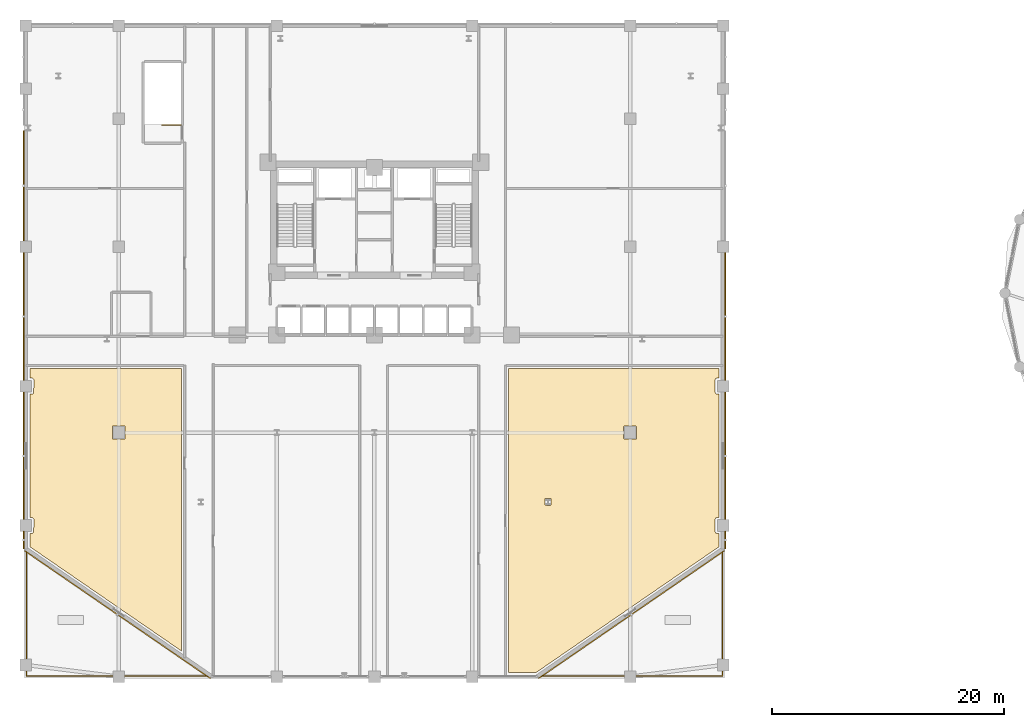
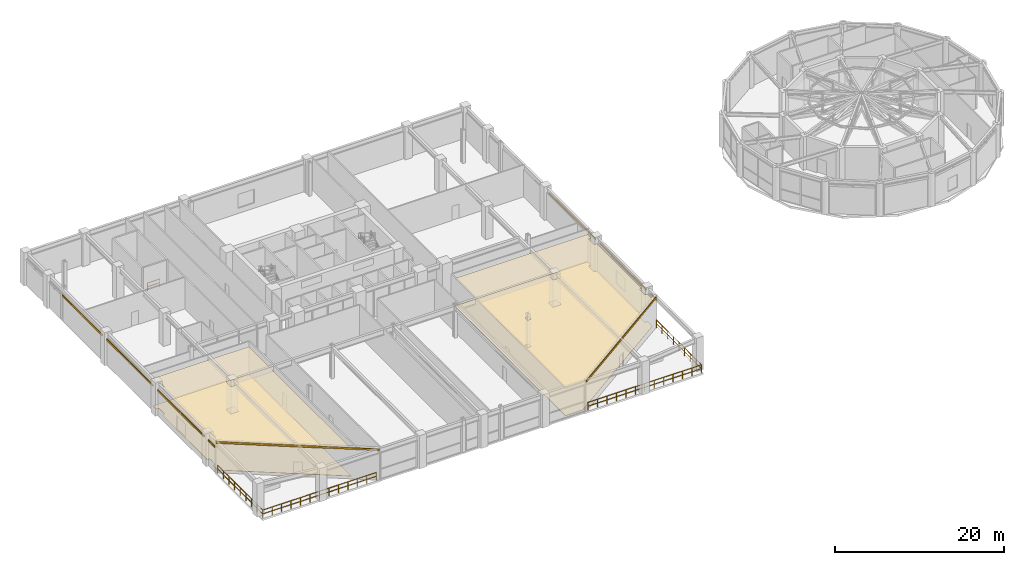
# One storey, part 24 of 26: 9 shading devices, 4 coverings, 3 railings.
"""IFC4 building model written with IfcOpenShell, lengths in metres."""

from ifc_helpers import new_model, si_unit, derived_unit, direction, frame, origin, origin_2d, place, context, subcontext, project, spatial, polyline, hollow_rectangle, circle, outline, extrude, source, transform, mapped, material, layer, layer_set, material_profile, profile_set, type_object, element, save


model = new_model("IFC4")

# Units and contexts
model_context = context("Model", 3, precision=1e-05, world=origin(), true_north=direction((0.0, 1.0)))
body_context = subcontext(model_context, "Body", "Model", "MODEL_VIEW")
ifc_project = project(units=[si_unit("LENGTHUNIT", "METRE"), si_unit("AREAUNIT", "SQUARE_METRE"), si_unit("VOLUMEUNIT", "CUBIC_METRE"), si_unit("PLANEANGLEUNIT", "RADIAN"), si_unit("MASSUNIT", "GRAM", prefix="KILO"), derived_unit("THERMALTRANSMITTANCEUNIT", [(si_unit("POWERUNIT", "WATT"), 1), (si_unit("LENGTHUNIT", "METRE"), -2), (si_unit("THERMODYNAMICTEMPERATUREUNIT", "KELVIN"), -1)])], contexts=[model_context])

# Site, building, storey
site_placement = place(None, origin())
site = spatial("IfcSite", under=ifc_project, at=site_placement, CompositionType="ELEMENT")
building_placement = place(site_placement, origin())
building = spatial("IfcBuilding", under=site, at=building_placement, Name="Korsvarv Bourse and Concert Hall", CompositionType="ELEMENT")
storey_placement = place(building_placement, frame((0.0, 0.0, 19.199951171875)))
storey = spatial("IfcBuildingStorey", under=building, at=storey_placement, Name="L04", CompositionType="ELEMENT", Elevation=19.199951171875)

# Coverings
ifc_material_1 = material(Name="Perforated mineral-wool and birch acoustic baffle ceiling", Category="wood")
ifc_layer_1 = layer(ifc_material_1, 0.02490234375)
ifc_layer_set_1 = layer_set([ifc_layer_1], Name="Perforated mineral-wool and birch acoustic baffle ceiling")
covering_type_1 = type_object("IfcCoveringType", Name="COV-CEIL-1", PredefinedType="CEILING", material=ifc_layer_set_1)
covering_1_placement = place(storey_placement, frame((0.0, 0.0, 3.9599609375)))
element("IfcCovering", 1, at=covering_1_placement, inside=storey, type_object=covering_type_1, Name="L04 acoustic baffle ceiling 1", PredefinedType="CEILING", context=body_context, shape_type="SweptSolid", body=[
    extrude(outline(polyline([(47.530029296875, 29.52001953125), (65.659912109375, 29.52001953125), (65.659912109375, 28.68994140625), (65.5, 28.68994140625), (65.465087890625, 28.6865234375), (65.431396484375, 28.676513671875), (65.400634765625, 28.659912109375), (65.373291015625, 28.637939453125), (65.35107421875, 28.61083984375), (65.334228515625, 28.580078125), (65.32373046875, 28.546630859375), (65.320068359375, 28.51171875), (65.31005859375, 27.501708984375), (65.31298828125, 27.467041015625), (65.32275390625, 27.43359375), (65.338623046875, 27.402587890625), (65.3603515625, 27.375244140625), (65.38671875, 27.3525390625), (65.417236328125, 27.33544921875), (65.4501953125, 27.324462890625), (65.48486328125, 27.320068359375), (65.659912109375, 27.315185546875), (65.659912109375, 16.68994140625), (65.5, 16.68994140625), (65.465087890625, 16.6865234375), (65.431396484375, 16.676513671875), (65.400634765625, 16.659912109375), (65.373291015625, 16.637939453125), (65.35107421875, 16.61083984375), (65.334228515625, 16.580078125), (65.32373046875, 16.546630859375), (65.320068359375, 16.51171875), (65.31005859375, 15.501708984375), (65.31298828125, 15.467041015625), (65.32275390625, 15.43359375), (65.338623046875, 15.402587890625), (65.3603515625, 15.375244140625), (65.38671875, 15.3525390625), (65.417236328125, 15.33544921875), (65.4501953125, 15.324462890625), (65.48486328125, 15.320068359375), (65.659912109375, 15.315185546875), (65.659912109375, 14.178955078125), (49.894287109375, 3.340087890625), (47.530029296875, 3.340087890625), (47.530029296875, 29.52001953125)]), holes=[polyline([(50.700927734375, 17.74560546875), (51.14404296875, 17.74169921875), (51.167724609375, 17.747802734375), (51.185791015625, 17.763916015625), (51.19384765625, 17.786865234375), (51.194091796875, 18.265869140625), (51.188232421875, 18.289306640625), (51.171875, 18.307373046875), (51.14892578125, 18.315673828125), (50.72021484375, 18.31591796875), (50.696533203125, 18.309814453125), (50.678466796875, 18.293701171875), (50.67041015625, 18.270751953125), (50.670166015625, 17.791748046875), (50.676025390625, 17.768310546875), (50.700927734375, 17.74560546875)]), polyline([(57.476318359375, 23.455810546875), (57.5, 23.449951171875), (58.5, 23.449951171875), (58.523681640625, 23.455810546875), (58.54150390625, 23.47216796875), (58.5498046875, 23.4951171875), (58.550048828125, 24.5), (58.544189453125, 24.523681640625), (58.52783203125, 24.54150390625), (58.5048828125, 24.5498046875), (57.5, 24.550048828125), (57.476318359375, 24.544189453125), (57.45849609375, 24.52783203125), (57.4501953125, 24.5048828125), (57.449951171875, 23.5), (57.455810546875, 23.476318359375), (57.476318359375, 23.455810546875)])]), origin(), (0.0, 0.0, 1.0), 0.025146484375),
])
covering_2_placement = place(storey_placement, frame((0.0, 0.0, 3.9599609375)))
element("IfcCovering", 2, at=covering_2_placement, inside=storey, type_object=covering_type_1, Name="L04 acoustic baffle ceiling 2", PredefinedType="CEILING", context=body_context, shape_type="SweptSolid", body=[
    extrude(outline(polyline([(19.409912109375, 5.193115234375), (6.340087890625, 14.178955078125), (6.340087890625, 15.31005859375), (6.5, 15.31005859375), (6.534912109375, 15.3134765625), (6.568603515625, 15.323486328125), (6.599365234375, 15.340087890625), (6.626708984375, 15.362060546875), (6.64892578125, 15.38916015625), (6.665771484375, 15.419921875), (6.67626953125, 15.453369140625), (6.679931640625, 15.48828125), (6.68994140625, 16.498291015625), (6.68701171875, 16.532958984375), (6.67724609375, 16.56640625), (6.661376953125, 16.597412109375), (6.6396484375, 16.624755859375), (6.61328125, 16.6474609375), (6.582763671875, 16.66455078125), (6.5498046875, 16.675537109375), (6.51513671875, 16.679931640625), (6.340087890625, 16.684814453125), (6.340087890625, 27.31005859375), (6.5, 27.31005859375), (6.534912109375, 27.3134765625), (6.568603515625, 27.323486328125), (6.599365234375, 27.340087890625), (6.626708984375, 27.362060546875), (6.64892578125, 27.38916015625), (6.665771484375, 27.419921875), (6.67626953125, 27.453369140625), (6.679931640625, 27.48828125), (6.68994140625, 28.498291015625), (6.68701171875, 28.532958984375), (6.67724609375, 28.56640625), (6.661376953125, 28.597412109375), (6.6396484375, 28.624755859375), (6.61328125, 28.6474609375), (6.582763671875, 28.66455078125), (6.5498046875, 28.675537109375), (6.51513671875, 28.679931640625), (6.340087890625, 28.684814453125), (6.340087890625, 29.52001953125), (19.409912109375, 29.52001953125), (19.409912109375, 5.193115234375)]), holes=[polyline([(13.476318359375, 23.455810546875), (13.5, 23.449951171875), (14.5, 23.449951171875), (14.523681640625, 23.455810546875), (14.54150390625, 23.47216796875), (14.5498046875, 23.4951171875), (14.550048828125, 24.5), (14.544189453125, 24.523681640625), (14.52783203125, 24.54150390625), (14.5048828125, 24.5498046875), (13.5, 24.550048828125), (13.476318359375, 24.544189453125), (13.45849609375, 24.52783203125), (13.4501953125, 24.5048828125), (13.449951171875, 23.5), (13.455810546875, 23.476318359375), (13.476318359375, 23.455810546875)])]), origin(), (0.0, 0.0, 1.0), 0.025146484375),
])
ifc_material_2 = material(Name="Calcium-sulphate raised access trading floor with Nordic oak top", Category="wood")
ifc_layer_2 = layer(ifc_material_2, 0.0400390625)
ifc_layer_set_2 = layer_set([ifc_layer_2], Name="Calcium-sulphate raised access trading floor with Nordic oak top")
covering_type_2 = type_object("IfcCoveringType", Name="COV-FLOR-1", PredefinedType="FLOORING", material=ifc_layer_set_2)
covering_3_placement = place(storey_placement, origin())
element("IfcCovering", 3, at=covering_3_placement, inside=storey, type_object=covering_type_2, Name="L04 raised access oak floor finish 1", PredefinedType="FLOORING", context=body_context, shape_type="SweptSolid", body=[
    extrude(outline(polyline([(47.530029296875, 29.52001953125), (65.659912109375, 29.52001953125), (65.659912109375, 28.68994140625), (65.5, 28.68994140625), (65.465087890625, 28.6865234375), (65.431396484375, 28.676513671875), (65.400634765625, 28.659912109375), (65.373291015625, 28.637939453125), (65.35107421875, 28.61083984375), (65.334228515625, 28.580078125), (65.32373046875, 28.546630859375), (65.320068359375, 28.51171875), (65.31005859375, 27.501708984375), (65.31298828125, 27.467041015625), (65.32275390625, 27.43359375), (65.338623046875, 27.402587890625), (65.3603515625, 27.375244140625), (65.38671875, 27.3525390625), (65.417236328125, 27.33544921875), (65.4501953125, 27.324462890625), (65.48486328125, 27.320068359375), (65.659912109375, 27.315185546875), (65.659912109375, 16.68994140625), (65.5, 16.68994140625), (65.465087890625, 16.6865234375), (65.431396484375, 16.676513671875), (65.400634765625, 16.659912109375), (65.373291015625, 16.637939453125), (65.35107421875, 16.61083984375), (65.334228515625, 16.580078125), (65.32373046875, 16.546630859375), (65.320068359375, 16.51171875), (65.31005859375, 15.501708984375), (65.31298828125, 15.467041015625), (65.32275390625, 15.43359375), (65.338623046875, 15.402587890625), (65.3603515625, 15.375244140625), (65.38671875, 15.3525390625), (65.417236328125, 15.33544921875), (65.4501953125, 15.324462890625), (65.48486328125, 15.320068359375), (65.659912109375, 15.315185546875), (65.659912109375, 14.178955078125), (49.894287109375, 3.340087890625), (47.530029296875, 3.340087890625), (47.530029296875, 29.52001953125)]), holes=[polyline([(50.700927734375, 17.74560546875), (51.14404296875, 17.74169921875), (51.167724609375, 17.747802734375), (51.185791015625, 17.763916015625), (51.19384765625, 17.786865234375), (51.194091796875, 18.265869140625), (51.188232421875, 18.289306640625), (51.171875, 18.307373046875), (51.14892578125, 18.315673828125), (50.72021484375, 18.31591796875), (50.696533203125, 18.309814453125), (50.678466796875, 18.293701171875), (50.67041015625, 18.270751953125), (50.670166015625, 17.791748046875), (50.676025390625, 17.768310546875), (50.700927734375, 17.74560546875)]), polyline([(57.476318359375, 23.455810546875), (57.5, 23.449951171875), (58.5, 23.449951171875), (58.523681640625, 23.455810546875), (58.54150390625, 23.47216796875), (58.5498046875, 23.4951171875), (58.550048828125, 24.5), (58.544189453125, 24.523681640625), (58.52783203125, 24.54150390625), (58.5048828125, 24.5498046875), (57.5, 24.550048828125), (57.476318359375, 24.544189453125), (57.45849609375, 24.52783203125), (57.4501953125, 24.5048828125), (57.449951171875, 23.5), (57.455810546875, 23.476318359375), (57.476318359375, 23.455810546875)])]), origin(), (0.0, 0.0, 1.0), 0.0400390625),
])
covering_4_placement = place(storey_placement, origin())
element("IfcCovering", 4, at=covering_4_placement, inside=storey, type_object=covering_type_2, Name="L04 raised access oak floor finish 2", PredefinedType="FLOORING", context=body_context, shape_type="SweptSolid", body=[
    extrude(outline(polyline([(19.409912109375, 5.193115234375), (6.340087890625, 14.178955078125), (6.340087890625, 15.31005859375), (6.5, 15.31005859375), (6.534912109375, 15.3134765625), (6.568603515625, 15.323486328125), (6.599365234375, 15.340087890625), (6.626708984375, 15.362060546875), (6.64892578125, 15.38916015625), (6.665771484375, 15.419921875), (6.67626953125, 15.453369140625), (6.679931640625, 15.48828125), (6.68994140625, 16.498291015625), (6.68701171875, 16.532958984375), (6.67724609375, 16.56640625), (6.661376953125, 16.597412109375), (6.6396484375, 16.624755859375), (6.61328125, 16.6474609375), (6.582763671875, 16.66455078125), (6.5498046875, 16.675537109375), (6.51513671875, 16.679931640625), (6.340087890625, 16.684814453125), (6.340087890625, 27.31005859375), (6.5, 27.31005859375), (6.534912109375, 27.3134765625), (6.568603515625, 27.323486328125), (6.599365234375, 27.340087890625), (6.626708984375, 27.362060546875), (6.64892578125, 27.38916015625), (6.665771484375, 27.419921875), (6.67626953125, 27.453369140625), (6.679931640625, 27.48828125), (6.68994140625, 28.498291015625), (6.68701171875, 28.532958984375), (6.67724609375, 28.56640625), (6.661376953125, 28.597412109375), (6.6396484375, 28.624755859375), (6.61328125, 28.6474609375), (6.582763671875, 28.66455078125), (6.5498046875, 28.675537109375), (6.51513671875, 28.679931640625), (6.340087890625, 28.684814453125), (6.340087890625, 29.52001953125), (19.409912109375, 29.52001953125), (19.409912109375, 5.193115234375)]), holes=[polyline([(13.476318359375, 23.455810546875), (13.5, 23.449951171875), (14.5, 23.449951171875), (14.523681640625, 23.455810546875), (14.54150390625, 23.47216796875), (14.5498046875, 23.4951171875), (14.550048828125, 24.5), (14.544189453125, 24.523681640625), (14.52783203125, 24.54150390625), (14.5048828125, 24.5498046875), (13.5, 24.550048828125), (13.476318359375, 24.544189453125), (13.45849609375, 24.52783203125), (13.4501953125, 24.5048828125), (13.449951171875, 23.5), (13.455810546875, 23.476318359375), (13.476318359375, 23.455810546875)])]), origin(), (0.0, 0.0, 1.0), 0.0400390625),
])

# Railings
ifc_material_3 = material(Name="Laminated safety glass and stainless Steel S355 balustrade", Category="steel")
railing_type_1 = type_object("IfcRailingType", Name="RL-BAL-EXT", PredefinedType="BALUSTRADE", material=ifc_material_3)
railing_1_placement = place(storey_placement, frame((21.538818359375, 3.050048828125, 0.0)))
element("IfcRailing", 5, at=railing_1_placement, inside=storey, type_object=railing_type_1, Name="L04 terrace perimeter balustrade 1-1", PredefinedType="BALUSTRADE", context=body_context, shape_type="SweptSolid", body=[
    extrude(circle(Radius=0.02392578125, at=origin_2d()), frame((0.0, 0.0, 1.1259765625), z_axis=(-1.0, 0.0, 0.0), x_axis=(0.0, -1.0, 0.0)), (0.0, 0.0, 1.0), 15.48876953125),
    extrude(circle(Radius=0.02392578125, at=origin_2d()), frame((0.0, 0.0, 0.574951171875), z_axis=(-1.0, 0.0, 0.0), x_axis=(0.0, -1.0, 0.0)), (0.0, 0.0, 1.0), 15.48876953125),
    extrude(circle(Radius=0.02392578125, at=origin_2d()), frame((-15.48876953125, 0.0, 1.1259765625), z_axis=(0.0, 1.0, 0.0), x_axis=(-1.0, 0.0, 0.0)), (0.0, 0.0, 1.0), 10.6484375),
    extrude(circle(Radius=0.02392578125, at=origin_2d()), frame((-15.48876953125, 0.0, 0.574951171875), z_axis=(0.0, 1.0, 0.0), x_axis=(-1.0, 0.0, 0.0)), (0.0, 0.0, 1.0), 10.6484375),
    extrude(circle(Radius=0.02099609375, at=origin_2d()), origin(), (0.0, 0.0, 1.0), 1.101806640625),
    extrude(circle(Radius=0.02099609375, at=origin_2d()), frame((-1.290771484375, 0.0, 0.0)), (0.0, 0.0, 1.0), 1.101806640625),
    extrude(circle(Radius=0.02099609375, at=origin_2d()), frame((-2.58154296875, 0.0, 0.0)), (0.0, 0.0, 1.0), 1.101806640625),
    extrude(circle(Radius=0.02099609375, at=origin_2d()), frame((-3.8720703125, 0.0, 0.0)), (0.0, 0.0, 1.0), 1.101806640625),
    extrude(circle(Radius=0.02099609375, at=origin_2d()), frame((-5.162841796875, 0.0, 0.0)), (0.0, 0.0, 1.0), 1.101806640625),
    extrude(circle(Radius=0.02099609375, at=origin_2d()), frame((-6.45361328125, 0.0, 0.0)), (0.0, 0.0, 1.0), 1.101806640625),
    extrude(circle(Radius=0.02099609375, at=origin_2d()), frame((-7.744384765625, 0.0, 0.0)), (0.0, 0.0, 1.0), 1.101806640625),
    extrude(circle(Radius=0.02099609375, at=origin_2d()), frame((-9.03515625, 0.0, 0.0)), (0.0, 0.0, 1.0), 1.101806640625),
    extrude(circle(Radius=0.02099609375, at=origin_2d()), frame((-10.325927734375, 0.0, 0.0)), (0.0, 0.0, 1.0), 1.101806640625),
    extrude(circle(Radius=0.02099609375, at=origin_2d()), frame((-11.61669921875, 0.0, 0.0)), (0.0, 0.0, 1.0), 1.101806640625),
    extrude(circle(Radius=0.02099609375, at=origin_2d()), frame((-12.9072265625, 0.0, 0.0)), (0.0, 0.0, 1.0), 1.101806640625),
    extrude(circle(Radius=0.02099609375, at=origin_2d()), frame((-14.197998046875, 0.0, 0.0)), (0.0, 0.0, 1.0), 1.101806640625),
    extrude(circle(Radius=0.02099609375, at=origin_2d()), frame((-15.48876953125, 0.0, 0.0)), (0.0, 0.0, 1.0), 1.101806640625),
    extrude(circle(Radius=0.02099609375, at=origin_2d()), frame((-15.48876953125, 1.3310546875, 0.0)), (0.0, 0.0, 1.0), 1.101806640625),
    extrude(circle(Radius=0.02099609375, at=origin_2d()), frame((-15.48876953125, 2.662109375, 0.0)), (0.0, 0.0, 1.0), 1.101806640625),
    extrude(circle(Radius=0.02099609375, at=origin_2d()), frame((-15.48876953125, 3.9931640625, 0.0)), (0.0, 0.0, 1.0), 1.101806640625),
    extrude(circle(Radius=0.02099609375, at=origin_2d()), frame((-15.48876953125, 5.32421875, 0.0)), (0.0, 0.0, 1.0), 1.101806640625),
    extrude(circle(Radius=0.02099609375, at=origin_2d()), frame((-15.48876953125, 6.6552734375, 0.0)), (0.0, 0.0, 1.0), 1.101806640625),
    extrude(circle(Radius=0.02099609375, at=origin_2d()), frame((-15.48876953125, 7.986328125, 0.0)), (0.0, 0.0, 1.0), 1.101806640625),
    extrude(circle(Radius=0.02099609375, at=origin_2d()), frame((-15.48876953125, 9.3173828125, 0.0)), (0.0, 0.0, 1.0), 1.101806640625),
    extrude(circle(Radius=0.02099609375, at=origin_2d()), frame((-15.48876953125, 10.6484375, 0.0)), (0.0, 0.0, 1.0), 1.101806640625),
])
railing_2_placement = place(storey_placement, frame((65.949951171875, 13.698486328125, 0.0)))
element("IfcRailing", 6, at=railing_2_placement, inside=storey, type_object=railing_type_1, Name="L04 terrace perimeter balustrade 2-1", PredefinedType="BALUSTRADE", context=body_context, shape_type="SweptSolid", body=[
    extrude(circle(Radius=0.02392578125, at=origin_2d()), frame((0.0, 0.0, 1.1259765625), z_axis=(0.0, -1.0, 0.0), x_axis=(1.0, 0.0, 0.0)), (0.0, 0.0, 1.0), 10.6484375),
    extrude(circle(Radius=0.02392578125, at=origin_2d()), frame((0.0, 0.0, 0.574951171875), z_axis=(0.0, -1.0, 0.0), x_axis=(1.0, 0.0, 0.0)), (0.0, 0.0, 1.0), 10.6484375),
    extrude(circle(Radius=0.02392578125, at=origin_2d()), frame((0.0, -10.6484375, 1.1259765625), z_axis=(-1.0, 0.0, 0.0), x_axis=(0.0, -1.0, 0.0)), (0.0, 0.0, 1.0), 15.48876953125),
    extrude(circle(Radius=0.02392578125, at=origin_2d()), frame((0.0, -10.6484375, 0.574951171875), z_axis=(-1.0, 0.0, 0.0), x_axis=(0.0, -1.0, 0.0)), (0.0, 0.0, 1.0), 15.48876953125),
    extrude(circle(Radius=0.02099609375, at=origin_2d()), origin(), (0.0, 0.0, 1.0), 1.101806640625),
    extrude(circle(Radius=0.02099609375, at=origin_2d()), frame((0.0, -1.3310546875, 0.0)), (0.0, 0.0, 1.0), 1.101806640625),
    extrude(circle(Radius=0.02099609375, at=origin_2d()), frame((0.0, -2.662109375, 0.0)), (0.0, 0.0, 1.0), 1.101806640625),
    extrude(circle(Radius=0.02099609375, at=origin_2d()), frame((0.0, -3.9931640625, 0.0)), (0.0, 0.0, 1.0), 1.101806640625),
    extrude(circle(Radius=0.02099609375, at=origin_2d()), frame((0.0, -5.32421875, 0.0)), (0.0, 0.0, 1.0), 1.101806640625),
    extrude(circle(Radius=0.02099609375, at=origin_2d()), frame((0.0, -6.6552734375, 0.0)), (0.0, 0.0, 1.0), 1.101806640625),
    extrude(circle(Radius=0.02099609375, at=origin_2d()), frame((0.0, -7.986328125, 0.0)), (0.0, 0.0, 1.0), 1.101806640625),
    extrude(circle(Radius=0.02099609375, at=origin_2d()), frame((0.0, -9.3173828125, 0.0)), (0.0, 0.0, 1.0), 1.101806640625),
    extrude(circle(Radius=0.02099609375, at=origin_2d()), frame((0.0, -10.6484375, 0.0)), (0.0, 0.0, 1.0), 1.101806640625),
    extrude(circle(Radius=0.02099609375, at=origin_2d()), frame((-1.290771484375, -10.6484375, 0.0)), (0.0, 0.0, 1.0), 1.101806640625),
    extrude(circle(Radius=0.02099609375, at=origin_2d()), frame((-2.58154296875, -10.6484375, 0.0)), (0.0, 0.0, 1.0), 1.101806640625),
    extrude(circle(Radius=0.02099609375, at=origin_2d()), frame((-3.8720703125, -10.6484375, 0.0)), (0.0, 0.0, 1.0), 1.101806640625),
    extrude(circle(Radius=0.02099609375, at=origin_2d()), frame((-5.162841796875, -10.6484375, 0.0)), (0.0, 0.0, 1.0), 1.101806640625),
    extrude(circle(Radius=0.02099609375, at=origin_2d()), frame((-6.45361328125, -10.6484375, 0.0)), (0.0, 0.0, 1.0), 1.101806640625),
    extrude(circle(Radius=0.02099609375, at=origin_2d()), frame((-7.744384765625, -10.6484375, 0.0)), (0.0, 0.0, 1.0), 1.101806640625),
    extrude(circle(Radius=0.02099609375, at=origin_2d()), frame((-9.03515625, -10.6484375, 0.0)), (0.0, 0.0, 1.0), 1.101806640625),
    extrude(circle(Radius=0.02099609375, at=origin_2d()), frame((-10.325927734375, -10.6484375, 0.0)), (0.0, 0.0, 1.0), 1.101806640625),
    extrude(circle(Radius=0.02099609375, at=origin_2d()), frame((-11.61669921875, -10.6484375, 0.0)), (0.0, 0.0, 1.0), 1.101806640625),
    extrude(circle(Radius=0.02099609375, at=origin_2d()), frame((-12.9072265625, -10.6484375, 0.0)), (0.0, 0.0, 1.0), 1.101806640625),
    extrude(circle(Radius=0.02099609375, at=origin_2d()), frame((-14.197998046875, -10.6484375, 0.0)), (0.0, 0.0, 1.0), 1.101806640625),
    extrude(circle(Radius=0.02099609375, at=origin_2d()), frame((-15.48876953125, -10.6484375, 0.0)), (0.0, 0.0, 1.0), 1.101806640625),
])
ifc_material_4 = material(Name="Painted Steel S355 stair well guardrail", Category="steel")
railing_type_2 = type_object("IfcRailingType", Name="RL-ST-GRD", PredefinedType="GUARDRAIL", material=ifc_material_4)
railing_3_placement = place(storey_placement, frame((19.360107421875, 50.449951171875, 0.0)))
element("IfcRailing", 7, at=railing_3_placement, inside=storey, type_object=railing_type_2, Name="L04 ST-PD1 top well guard 1", PredefinedType="GUARDRAIL", context=body_context, shape_type="SweptSolid", body=[
    extrude(circle(Radius=0.02392578125, at=origin_2d()), frame((0.0, 0.0, 1.076171875), z_axis=(-1.0, 0.0, 0.0), x_axis=(0.0, -1.0, 0.0)), (0.0, 0.0, 1.0), 1.66015625),
    extrude(circle(Radius=0.02392578125, at=origin_2d()), frame((0.0, 0.0, 0.550048828125), z_axis=(-1.0, 0.0, 0.0), x_axis=(0.0, -1.0, 0.0)), (0.0, 0.0, 1.0), 1.66015625),
    extrude(circle(Radius=0.02099609375, at=origin_2d()), origin(), (0.0, 0.0, 1.0), 1.052001953125),
    extrude(circle(Radius=0.02099609375, at=origin_2d()), frame((-1.66015625, 0.0, 0.0)), (0.0, 0.0, 1.0), 1.052001953125),
])

# Shading devices
ifc_material_5 = material(Name="Glazed extruded architectural terracotta", Category="ceramic")
ifc_material_profile = material_profile(ifc_material_5, hollow_rectangle(XDim=0.090087890625, YDim=0.260009765625, WallThickness=0.011962890625, at=origin_2d()), Name="TC-BAG 90x260")
ifc_profile_set = profile_set([ifc_material_profile], Name="Glazed extruded architectural terracotta")
shading_device_type = type_object("IfcShadingDeviceType", Name="SHD-BAG-1", PredefinedType="USERDEFINED", material=ifc_profile_set)
shared_shape_1 = source(origin(), body_context, "Body", "SweptSolid", [
    extrude(hollow_rectangle(XDim=0.090087890625, YDim=0.260009765625, WallThickness=0.011962890625, at=origin_2d()), origin(), (0.0, 0.0, 1.0), 10.990234375),
])
for number, where, z_axis, x_axis, name in (
    (8, (66.195068359375, 16.5048828125, 3.719970703125), (0.0, 1.0, 0.0), (-1.0, 0.0, 0.0), "L04 terracotta baguette sunshade EW-L04-G4-2"),
    (9, (66.195068359375, 28.5048828125, 3.719970703125), (0.0, 1.0, 0.0), (-1.0, 0.0, 0.0), "L04 terracotta baguette sunshade EW-L04-G4-3"),
    (10, (5.804931640625, 39.4951171875, 3.719970703125), (0.0, -1.0, 0.0), (1.0, 0.0, 0.0), "L04 terracotta baguette sunshade EW-L04-G6-4"),
    (11, (5.804931640625, 27.4951171875, 3.719970703125), (0.0, -1.0, 0.0), (1.0, 0.0, 0.0), "L04 terracotta baguette sunshade EW-L04-G6-5"),
):
    element("IfcShadingDevice", number, at=place(storey_placement, frame(where, z_axis=z_axis, x_axis=x_axis)), inside=storey, type_object=shading_device_type, Name=name, ObjectType="BAGUETTE", PredefinedType="USERDEFINED", context=body_context, shape_type="MappedRepresentation", body=[
        mapped(shared_shape_1, transform((0.0, 0.0, 0.0), scale=1.0)),
    ])
shared_shape_2 = source(origin(), body_context, "Body", "SweptSolid", [
    extrude(hollow_rectangle(XDim=0.090087890625, YDim=0.260009765625, WallThickness=0.011962890625, at=origin_2d()), origin(), (0.0, 0.0, 1.0), 9.47021484375),
])
shading_device_placement = place(storey_placement, frame((5.804931640625, 49.97509765625, 3.719970703125), z_axis=(0.0, -1.0, 0.0), x_axis=(1.0, 0.0, 0.0)))
element("IfcShadingDevice", 12, at=shading_device_placement, inside=storey, type_object=shading_device_type, Name="L04 terracotta baguette sunshade EW-L04-G6-3", ObjectType="BAGUETTE", PredefinedType="USERDEFINED", context=body_context, shape_type="MappedRepresentation", body=[
    mapped(shared_shape_2, transform((0.0, 0.0, 0.0), scale=1.0)),
])
shared_shape_3 = source(origin(), body_context, "Body", "SweptSolid", [
    extrude(hollow_rectangle(XDim=0.090087890625, YDim=0.260009765625, WallThickness=0.011962890625, at=origin_2d()), origin(), (0.0, 0.0, 1.0), 19.41650390625),
])
for number, where, z_axis, x_axis, name in (
    (13, (5.889404296875, 13.83935546875, 4.420166015625), (0.824041924199, -0.566528822887, 0.0), (0.566528822887, 0.824041924199, 0.0), "L04 terracotta baguette sunshade EW-L04-G1"),
    (14, (50.110595703125, 2.83935546875, 4.420166015625), (0.824041924199, 0.566528822887, 0.0), (-0.566528822887, 0.824041924199, 0.0), "L04 terracotta baguette sunshade EW-L04-G3"),
):
    element("IfcShadingDevice", number, at=place(storey_placement, frame(where, z_axis=z_axis, x_axis=x_axis)), inside=storey, type_object=shading_device_type, Name=name, ObjectType="BAGUETTE", PredefinedType="USERDEFINED", context=body_context, shape_type="MappedRepresentation", body=[
        mapped(shared_shape_3, transform((0.0, 0.0, 0.0), scale=1.0)),
    ])
shared_shape_4 = source(origin(), body_context, "Body", "SweptSolid", [
    extrude(hollow_rectangle(XDim=0.090087890625, YDim=0.260009765625, WallThickness=0.011962890625, at=origin_2d()), origin(), (0.0, 0.0, 1.0), 1.4951171875),
])
for number, where, z_axis, x_axis, name in (
    (15, (66.195068359375, 14.0, 3.719970703125), (0.0, 1.0, 0.0), (-1.0, 0.0, 0.0), "L04 terracotta baguette sunshade EW-L04-G4-1"),
    (16, (5.804931640625, 15.4951171875, 3.719970703125), (0.0, -1.0, 0.0), (1.0, 0.0, 0.0), "L04 terracotta baguette sunshade EW-L04-G6-6"),
):
    element("IfcShadingDevice", number, at=place(storey_placement, frame(where, z_axis=z_axis, x_axis=x_axis)), inside=storey, type_object=shading_device_type, Name=name, ObjectType="BAGUETTE", PredefinedType="USERDEFINED", context=body_context, shape_type="MappedRepresentation", body=[
        mapped(shared_shape_4, transform((0.0, 0.0, 0.0), scale=1.0)),
    ])

save(model, "model.ifc")
